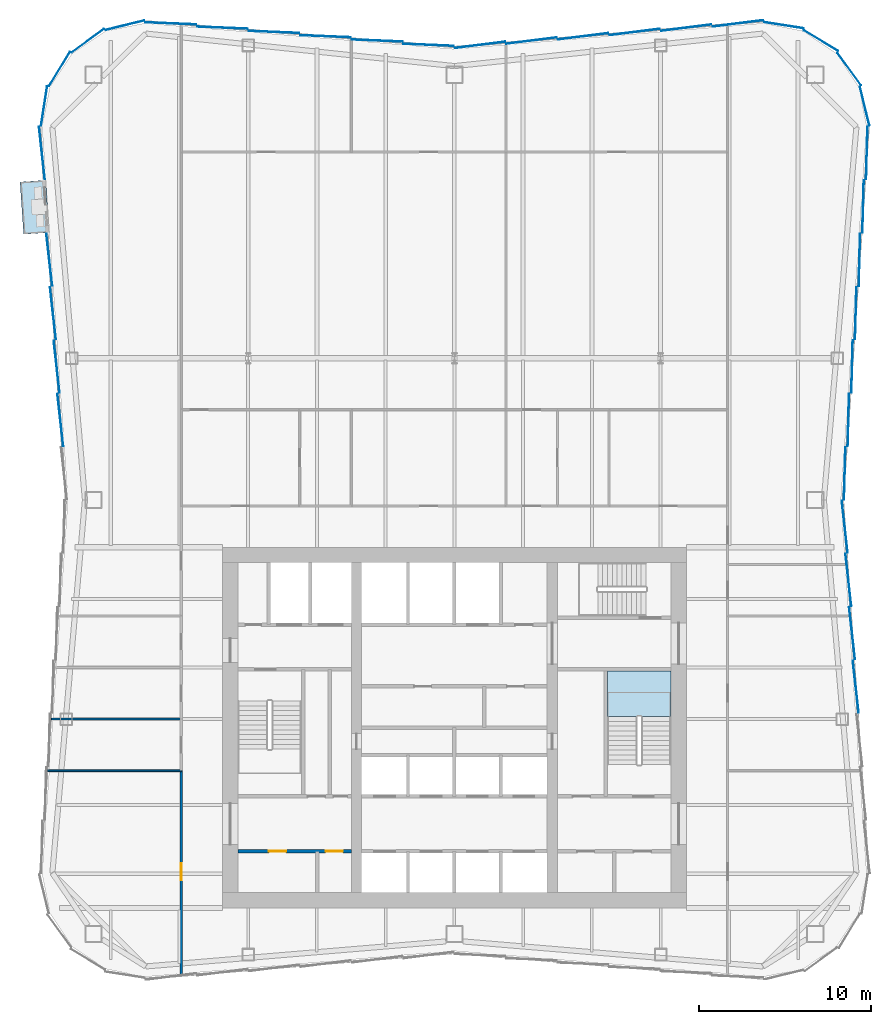
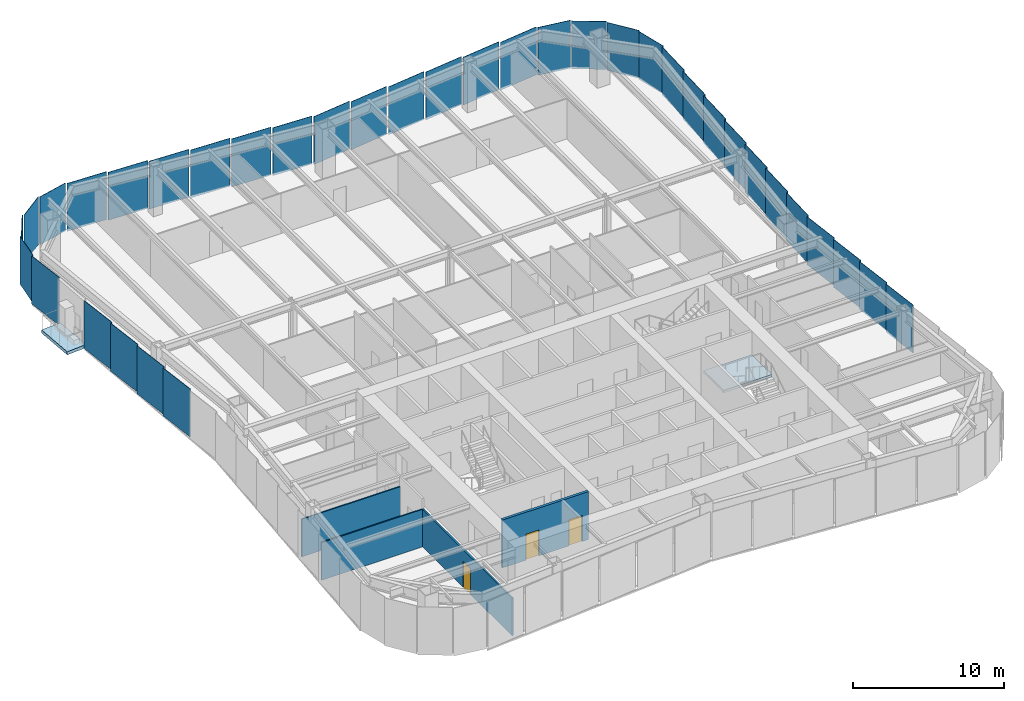
# One storey, part 4 of 10: 36 plates, 4 walls, 3 doors, 2 slabs, 3 openings, 6 elements without a shape of their own.
"""IFC4 building model written with IfcOpenShell, lengths in metres."""

from ifc_helpers import new_model, si_unit, direction, frame, frame_2d, origin, origin_2d, place, context, subcontext, project, spatial, polyline, rectangle, outline, extrude, material, layer, layer_set, type_object, element, fill, aggregate, save


model = new_model("IFC4")

# Units and contexts
model_context = context("Model", 3, precision=1e-05, world=origin(), true_north=direction((0.0, 1.0)))
body_context = subcontext(model_context, "Body", "Model", "MODEL_VIEW")
ifc_project = project(units=[si_unit("LENGTHUNIT", "METRE"), si_unit("AREAUNIT", "SQUARE_METRE"), si_unit("VOLUMEUNIT", "CUBIC_METRE"), si_unit("PLANEANGLEUNIT", "RADIAN"), si_unit("MASSUNIT", "GRAM", prefix="KILO")], contexts=[model_context])

# Site, building, storey
site_placement = place(None, origin())
site = spatial("IfcSite", under=ifc_project, at=site_placement, CompositionType="ELEMENT")
building_placement = place(site_placement, origin())
building = spatial("IfcBuilding", under=site, at=building_placement, Name="Verdant Reach Tower", CompositionType="ELEMENT")
storey_placement = place(building_placement, frame((0.0, 0.0, 190.0)))
storey = spatial("IfcBuildingStorey", under=building, at=storey_placement, Name="L43", CompositionType="ELEMENT", Elevation=190.0)

# Stair, slab
ifc_material_1 = material(Name="Concrete C40/50", Category="concrete")
stair_type = type_object("IfcStairType", Name="CO-STAIR", PredefinedType="HALF_TURN_STAIR", material=ifc_material_1)
stair_placement = place(storey_placement, origin())
stair = element("IfcStair", 1, at=stair_placement, inside=storey, type_object=stair_type, Name="L43 Exit stair 2", PredefinedType="HALF_TURN_STAIR")
ifc_layer_1 = layer(ifc_material_1, 0.199951171875)
ifc_layer_set_1 = layer_set([ifc_layer_1], Name="CO-STAIR-LANDING")
slab_type_1 = type_object("IfcSlabType", Name="CO-STAIR-LANDING", PredefinedType="LANDING", material=ifc_layer_set_1)
slab_1_placement = place(storey_placement, frame((0.0, 0.0, 1.800048828125)))
slab_1 = element("IfcSlab", 2, at=slab_1_placement, type_object=slab_type_1, Name="ST-2 landing 1", PredefinedType="LANDING", context=body_context, shape_type="SweptSolid", body=[
    extrude(outline(polyline([(12.60009765625, 28.64990234375), (12.60009765625, 31.300048828125), (8.89990234375, 31.300048828125), (8.89990234375, 28.64990234375), (12.60009765625, 28.64990234375)])), origin(), (0.0, 0.0, 1.0), 0.199951171875),
])
aggregate(stair, [slab_1])

# Slab
ifc_material_2 = material(Name="Concrete C35/45", Category="concrete")
ifc_layer_2 = layer(ifc_material_2, 0.25)
ifc_layer_set_2 = layer_set([ifc_layer_2], Name="EN-BALCONY SLAB")
slab_type_2 = type_object("IfcSlabType", Name="EN-BALCONY SLAB", PredefinedType="FLOOR", material=ifc_layer_set_2)
slab_2_placement = place(storey_placement, frame((0.0, 0.0, -0.25)))
element("IfcSlab", 3, at=slab_2_placement, inside=storey, type_object=slab_type_2, Name="Balcony slab 1, L43", PredefinedType="FLOOR", context=body_context, shape_type="SweptSolid", body=[
    extrude(outline(polyline([(-23.783447265625, 59.85986328125), (-23.57373046875, 56.818603515625), (-25.070068359375, 56.71533203125), (-25.27978515625, 59.7568359375), (-23.783447265625, 59.85986328125)])), origin(), (0.0, 0.0, 1.0), 0.25),
])

# Curtain wall, plates
ifc_material_3 = material(Name="Anodised aluminium", Category="aluminium")
curtain_wall_type = type_object("IfcCurtainWallType", Name="EN-CW SYSTEM Z3", PredefinedType="NOTDEFINED", material=ifc_material_3)
curtain_wall_1_placement = place(storey_placement, origin())
curtain_wall_1 = element("IfcCurtainWall", 4, at=curtain_wall_1_placement, inside=storey, type_object=curtain_wall_type, Name="Curtain wall east, L43", PredefinedType="NOTDEFINED")
ifc_material_4 = material(Name="Tinted glass with champagne spandrel", Category="glass")
ifc_layer_3 = layer(ifc_material_4, 0.031982421875)
ifc_layer_set_3 = layer_set([ifc_layer_3], Name="EN-PANEL CHAMPAGNE")
plate_type_1 = type_object("IfcPlateType", Name="EN-PANEL CHAMPAGNE", PredefinedType="CURTAIN_PANEL", material=ifc_layer_set_3)
plate_1_placement = place(storey_placement, frame((22.93017578125, 36.5966796875, -0.22412109375), z_axis=(0.0, 0.0, 1.0), x_axis=(-0.110518162674, 0.993874104562, 0.0)))
plate_1 = element("IfcPlate", 5, at=plate_1_placement, type_object=plate_type_1, Name="Glass panel east face part 1 6.1, L43", PredefinedType="CURTAIN_PANEL", context=body_context, shape_type="SweptSolid", body=[
    extrude(rectangle(XDim=3.052490234375, YDim=0.031982421875, at=origin_2d()), origin(), (0.0, 0.0, 1.0), 3.8740234375),
])
plate_2_placement = place(storey_placement, frame((22.716064453125, 39.7001953125, -0.22412109375), z_axis=(0.0, 0.0, 1.0), x_axis=(-0.110600785385, 0.993864913493, 0.0)))
plate_2 = element("IfcPlate", 6, at=plate_2_placement, type_object=plate_type_1, Name="Glass panel east face part 1 7.1, L43", PredefinedType="CURTAIN_PANEL", context=body_context, shape_type="SweptSolid", body=[
    extrude(rectangle(XDim=3.044921875, YDim=0.031982421875, at=origin_2d()), origin(), (0.0, 0.0, 1.0), 3.8740234375),
])
plate_3_placement = place(storey_placement, frame((22.716064453125, 42.7998046875, -0.22412109375), z_axis=(0.0, 0.0, 1.0), x_axis=(0.027048420339, 0.999634124546, 0.0)))
plate_3 = element("IfcPlate", 7, at=plate_3_placement, type_object=plate_type_1, Name="Glass panel east face part 2 1.1, L43", PredefinedType="CURTAIN_PANEL", context=body_context, shape_type="SweptSolid", body=[
    extrude(rectangle(XDim=3.044921875, YDim=0.031982421875, at=origin_2d()), origin(), (0.0, 0.0, 1.0), 3.8740234375),
])
plate_4_placement = place(storey_placement, frame((22.93017578125, 45.9033203125, -0.22412109375), z_axis=(0.0, 0.0, 1.0), x_axis=(0.026965318308, 0.999636369691, 0.0)))
plate_4 = element("IfcPlate", 8, at=plate_4_placement, type_object=plate_type_1, Name="Glass panel east face part 2 2.1, L43", PredefinedType="CURTAIN_PANEL", context=body_context, shape_type="SweptSolid", body=[
    extrude(rectangle(XDim=3.052490234375, YDim=0.031982421875, at=origin_2d()), origin(), (0.0, 0.0, 1.0), 3.8740234375),
])

curtain_wall_2_placement = place(storey_placement, origin())
curtain_wall_2 = element("IfcCurtainWall", 9, at=curtain_wall_2_placement, inside=storey, type_object=curtain_wall_type, Name="Curtain wall north, L43", PredefinedType="NOTDEFINED")
plate_5_placement = place(storey_placement, frame((4.490966796875, 67.983642578125, -0.22412109375), z_axis=(0.0, 0.0, 1.0), x_axis=(-0.992194034542, -0.124703639961, 0.0)))
plate_5 = element("IfcPlate", 10, at=plate_5_placement, type_object=plate_type_1, Name="Glass panel north face part 1 5.1, L43", PredefinedType="CURTAIN_PANEL", context=body_context, shape_type="SweptSolid", body=[
    extrude(rectangle(XDim=2.948486328125, YDim=0.031982421875, at=origin_2d()), origin(), (0.0, 0.0, 1.0), 3.8740234375),
])
plate_6_placement = place(storey_placement, frame((1.495361328125, 67.73388671875, -0.22412109375), z_axis=(0.0, 0.0, 1.0), x_axis=(-0.992178382939, -0.124828107529, 0.0)))
plate_6 = element("IfcPlate", 11, at=plate_6_placement, type_object=plate_type_1, Name="Glass panel north face part 1 6.1, L43", PredefinedType="CURTAIN_PANEL", context=body_context, shape_type="SweptSolid", body=[
    extrude(rectangle(XDim=2.939453125, YDim=0.031982421875, at=origin_2d()), origin(), (0.0, 0.0, 1.0), 3.8740234375),
])
plate_7_placement = place(storey_placement, frame((-16.49853515625, 68.983642578125, -0.22412109375), z_axis=(0.0, 0.0, 1.0), x_axis=(-0.999163623568, 0.040890748818, 0.0)))
plate_7 = element("IfcPlate", 12, at=plate_7_placement, type_object=plate_type_1, Name="Glass panel north face part 2 6.1, L43", PredefinedType="CURTAIN_PANEL", context=body_context, shape_type="SweptSolid", body=[
    extrude(rectangle(XDim=2.963623046875, YDim=0.031982421875, at=origin_2d()), origin(), (0.0, 0.0, 1.0), 3.8740234375),
])

curtain_wall_3_placement = place(storey_placement, origin())
curtain_wall_3 = element("IfcCurtainWall", 13, at=curtain_wall_3_placement, inside=storey, type_object=curtain_wall_type, Name="Curtain wall west, L43", PredefinedType="NOTDEFINED")
plate_8_placement = place(storey_placement, frame((-23.572998046875, 55.224609375, -0.22412109375), z_axis=(0.0, 0.0, 1.0), x_axis=(0.110518162674, -0.993874104562, 0.0)))
plate_8 = element("IfcPlate", 14, at=plate_8_placement, type_object=plate_type_1, Name="Glass panel west face part 1 3.1, L43", PredefinedType="CURTAIN_PANEL", context=body_context, shape_type="SweptSolid", body=[
    extrude(rectangle(XDim=3.052490234375, YDim=0.031982421875, at=origin_2d()), origin(), (0.0, 0.0, 1.0), 3.8740234375),
])
plate_9_placement = place(storey_placement, frame((-23.358642578125, 52.117431640625, -0.22412109375), z_axis=(0.0, 0.0, 1.0), x_axis=(0.110518162674, -0.993874104562, 0.0)))
plate_9 = element("IfcPlate", 15, at=plate_9_placement, type_object=plate_type_1, Name="Glass panel west face part 1 4.1, L43", PredefinedType="CURTAIN_PANEL", context=body_context, shape_type="SweptSolid", body=[
    extrude(rectangle(XDim=3.052490234375, YDim=0.031982421875, at=origin_2d()), origin(), (0.0, 0.0, 1.0), 3.8740234375),
])

# Plate
ifc_material_5 = material(Name="Tinted glass with copper spandrel", Category="glass")
ifc_layer_4 = layer(ifc_material_5, 0.031982421875)
ifc_layer_set_4 = layer_set([ifc_layer_4], Name="EN-PANEL COPPER")
plate_type_2 = type_object("IfcPlateType", Name="EN-PANEL COPPER", PredefinedType="CURTAIN_PANEL", material=ifc_layer_set_4)
plate_10_placement = place(storey_placement, frame((23.14453125, 49.01025390625, -0.22412109375), z_axis=(0.0, 0.0, 1.0), x_axis=(0.026965318308, 0.999636369691, 0.0)))
plate_10 = element("IfcPlate", 16, at=plate_10_placement, type_object=plate_type_2, Name="Glass panel east face part 2 3.1, L43", PredefinedType="CURTAIN_PANEL", context=body_context, shape_type="SweptSolid", body=[
    extrude(rectangle(XDim=3.052490234375, YDim=0.031982421875, at=origin_2d()), origin(), (0.0, 0.0, 1.0), 3.8740234375),
])

plate_11_placement = place(storey_placement, frame((23.358642578125, 52.117431640625, -0.22412109375), z_axis=(0.0, 0.0, 1.0), x_axis=(0.026965318308, 0.999636369691, 0.0)))
plate_11 = element("IfcPlate", 17, at=plate_11_placement, type_object=plate_type_2, Name="Glass panel east face part 2 4.1, L43", PredefinedType="CURTAIN_PANEL", context=body_context, shape_type="SweptSolid", body=[
    extrude(rectangle(XDim=3.052490234375, YDim=0.031982421875, at=origin_2d()), origin(), (0.0, 0.0, 1.0), 3.8740234375),
])

# Curtain wall, plates
curtain_wall_4_placement = place(storey_placement, origin())
curtain_wall_4 = element("IfcCurtainWall", 18, at=curtain_wall_4_placement, inside=storey, type_object=curtain_wall_type, Name="Curtain wall north-east corner, L43", PredefinedType="NOTDEFINED")
plate_12_placement = place(storey_placement, frame((23.87646484375, 64.17236328125, -0.22412109375), z_axis=(0.0, 0.0, 1.0), x_axis=(-0.23644624331, 0.97164457186, 0.0)))
plate_12 = element("IfcPlate", 19, at=plate_12_placement, type_object=plate_type_2, Name="Glass panel north-east corner 1.1, L43", PredefinedType="CURTAIN_PANEL", context=body_context, shape_type="SweptSolid", body=[
    extrude(rectangle(XDim=2.314697265625, YDim=0.031982421875, at=origin_2d()), origin(), (0.0, 0.0, 1.0), 3.8740234375),
])
plate_13_placement = place(storey_placement, frame((22.98193359375, 66.328857421875, -0.22412109375), z_axis=(0.0, 0.0, 1.0), x_axis=(-0.589926747542, 0.807456768214, 0.0)))
plate_13 = element("IfcPlate", 20, at=plate_13_placement, type_object=plate_type_2, Name="Glass panel north-east corner 2.1, L43", PredefinedType="CURTAIN_PANEL", context=body_context, shape_type="SweptSolid", body=[
    extrude(rectangle(XDim=2.321533203125, YDim=0.031982421875, at=origin_2d()), origin(), (0.0, 0.0, 1.0), 3.8740234375),
])
plate_14_placement = place(storey_placement, frame((21.328857421875, 67.98193359375, -0.22412109375), z_axis=(0.0, 0.0, 1.0), x_axis=(-0.853988701636, 0.520291550457, 0.0)))
plate_14 = element("IfcPlate", 21, at=plate_14_placement, type_object=plate_type_2, Name="Glass panel north-east corner 3.1, L43", PredefinedType="CURTAIN_PANEL", context=body_context, shape_type="SweptSolid", body=[
    extrude(rectangle(XDim=2.321533203125, YDim=0.031982421875, at=origin_2d()), origin(), (0.0, 0.0, 1.0), 3.8740234375),
])

# Plate
plate_15_placement = place(storey_placement, frame((16.49853515625, 68.983642578125, -0.22412109375), z_axis=(0.0, 0.0, 1.0), x_axis=(-0.992237766434, -0.124355196363, 0.0)))
plate_15 = element("IfcPlate", 22, at=plate_15_placement, type_object=plate_type_2, Name="Glass panel north face part 1 1.1, L43", PredefinedType="CURTAIN_PANEL", context=body_context, shape_type="SweptSolid", body=[
    extrude(rectangle(XDim=2.963623046875, YDim=0.031982421875, at=origin_2d()), origin(), (0.0, 0.0, 1.0), 3.8740234375),
])

plate_16_placement = place(storey_placement, frame((-1.495361328125, 67.73388671875, -0.22412109375), z_axis=(0.0, 0.0, 1.0), x_axis=(-0.999144020525, 0.041366970501, 0.0)))
plate_16 = element("IfcPlate", 23, at=plate_16_placement, type_object=plate_type_2, Name="Glass panel north face part 2 1.1, L43", PredefinedType="CURTAIN_PANEL", context=body_context, shape_type="SweptSolid", body=[
    extrude(rectangle(XDim=2.939453125, YDim=0.031982421875, at=origin_2d()), origin(), (0.0, 0.0, 1.0), 3.8740234375),
])

plate_17_placement = place(storey_placement, frame((-4.490966796875, 67.983642578125, -0.22412109375), z_axis=(0.0, 0.0, 1.0), x_axis=(-0.999149202059, 0.041241629766, 0.0)))
plate_17 = element("IfcPlate", 24, at=plate_17_placement, type_object=plate_type_2, Name="Glass panel north face part 2 2.1, L43", PredefinedType="CURTAIN_PANEL", context=body_context, shape_type="SweptSolid", body=[
    extrude(rectangle(XDim=2.948486328125, YDim=0.031982421875, at=origin_2d()), origin(), (0.0, 0.0, 1.0), 3.8740234375),
])

plate_18_placement = place(storey_placement, frame((-7.490966796875, 68.233642578125, -0.22412109375), z_axis=(0.0, 0.0, 1.0), x_axis=(-0.999149202059, 0.041241629766, 0.0)))
plate_18 = element("IfcPlate", 25, at=plate_18_placement, type_object=plate_type_2, Name="Glass panel north face part 2 3.1, L43", PredefinedType="CURTAIN_PANEL", context=body_context, shape_type="SweptSolid", body=[
    extrude(rectangle(XDim=2.948486328125, YDim=0.031982421875, at=origin_2d()), origin(), (0.0, 0.0, 1.0), 3.8740234375),
])

# Curtain wall, plate
curtain_wall_5_placement = place(storey_placement, origin())
curtain_wall_5 = element("IfcCurtainWall", 26, at=curtain_wall_5_placement, inside=storey, type_object=curtain_wall_type, Name="Curtain wall north-west corner, L43", PredefinedType="NOTDEFINED")
plate_19_placement = place(storey_placement, frame((-19.171875, 68.87646484375, -0.22412109375), z_axis=(0.0, 0.0, 1.0), x_axis=(-0.971655117833, -0.236402901821, 0.0)))
plate_19 = element("IfcPlate", 27, at=plate_19_placement, type_object=plate_type_2, Name="Glass panel north-west corner 1.1, L43", PredefinedType="CURTAIN_PANEL", context=body_context, shape_type="SweptSolid", body=[
    extrude(rectangle(XDim=2.3154296875, YDim=0.031982421875, at=origin_2d()), origin(), (0.0, 0.0, 1.0), 3.8740234375),
])

# Plate
plate_20_placement = place(storey_placement, frame((-23.14453125, 49.01025390625, -0.22412109375), z_axis=(0.0, 0.0, 1.0), x_axis=(0.110518162674, -0.993874104562, 0.0)))
plate_20 = element("IfcPlate", 28, at=plate_20_placement, type_object=plate_type_2, Name="Glass panel west face part 1 5.1, L43", PredefinedType="CURTAIN_PANEL", context=body_context, shape_type="SweptSolid", body=[
    extrude(rectangle(XDim=3.052490234375, YDim=0.031982421875, at=origin_2d()), origin(), (0.0, 0.0, 1.0), 3.8740234375),
])

plate_21_placement = place(storey_placement, frame((-22.93017578125, 45.9033203125, -0.22412109375), z_axis=(0.0, 0.0, 1.0), x_axis=(0.110518162674, -0.993874104562, 0.0)))
plate_21 = element("IfcPlate", 29, at=plate_21_placement, type_object=plate_type_2, Name="Glass panel west face part 1 6.1, L43", PredefinedType="CURTAIN_PANEL", context=body_context, shape_type="SweptSolid", body=[
    extrude(rectangle(XDim=3.052490234375, YDim=0.031982421875, at=origin_2d()), origin(), (0.0, 0.0, 1.0), 3.8740234375),
])

ifc_material_6 = material(Name="Tinted glass with dark bronze spandrel", Category="glass")
ifc_layer_5 = layer(ifc_material_6, 0.031982421875)
ifc_layer_set_5 = layer_set([ifc_layer_5], Name="EN-PANEL DARK")
plate_type_3 = type_object("IfcPlateType", Name="EN-PANEL DARK", PredefinedType="CURTAIN_PANEL", material=ifc_layer_set_5)
plate_22_placement = place(storey_placement, frame((23.358642578125, 30.382568359375, -0.22412109375), z_axis=(0.0, 0.0, 1.0), x_axis=(-0.110518162674, 0.993874104562, 0.0)))
plate_22 = element("IfcPlate", 30, at=plate_22_placement, type_object=plate_type_3, Name="Glass panel east face part 1 4.1, L43", PredefinedType="CURTAIN_PANEL", context=body_context, shape_type="SweptSolid", body=[
    extrude(rectangle(XDim=3.052490234375, YDim=0.031982421875, at=origin_2d()), origin(), (0.0, 0.0, 1.0), 3.8740234375),
])

plate_23_placement = place(storey_placement, frame((23.14453125, 33.48974609375, -0.22412109375), z_axis=(0.0, 0.0, 1.0), x_axis=(-0.110518162674, 0.993874104562, 0.0)))
plate_23 = element("IfcPlate", 31, at=plate_23_placement, type_object=plate_type_3, Name="Glass panel east face part 1 5.1, L43", PredefinedType="CURTAIN_PANEL", context=body_context, shape_type="SweptSolid", body=[
    extrude(rectangle(XDim=3.052490234375, YDim=0.031982421875, at=origin_2d()), origin(), (0.0, 0.0, 1.0), 3.8740234375),
])

plate_24_placement = place(storey_placement, frame((23.572998046875, 55.224609375, -0.22412109375), z_axis=(0.0, 0.0, 1.0), x_axis=(0.026965318308, 0.999636369691, 0.0)))
plate_24 = element("IfcPlate", 32, at=plate_24_placement, type_object=plate_type_3, Name="Glass panel east face part 2 5.1, L43", PredefinedType="CURTAIN_PANEL", context=body_context, shape_type="SweptSolid", body=[
    extrude(rectangle(XDim=3.052490234375, YDim=0.031982421875, at=origin_2d()), origin(), (0.0, 0.0, 1.0), 3.8740234375),
])

plate_25_placement = place(storey_placement, frame((23.787353515625, 58.331787109375, -0.22412109375), z_axis=(0.0, 0.0, 1.0), x_axis=(0.026965318308, 0.999636369691, 0.0)))
plate_25 = element("IfcPlate", 33, at=plate_25_placement, type_object=plate_type_3, Name="Glass panel east face part 2 6.1, L43", PredefinedType="CURTAIN_PANEL", context=body_context, shape_type="SweptSolid", body=[
    extrude(rectangle(XDim=3.052490234375, YDim=0.031982421875, at=origin_2d()), origin(), (0.0, 0.0, 1.0), 3.8740234375),
])

plate_26_placement = place(storey_placement, frame((24.001708984375, 61.446044921875, -0.22412109375), z_axis=(0.0, 0.0, 1.0), x_axis=(0.026659626966, 0.999644568979, 0.0)))
plate_26 = element("IfcPlate", 34, at=plate_26_placement, type_object=plate_type_3, Name="Glass panel east face part 2 7.1, L43", PredefinedType="CURTAIN_PANEL", context=body_context, shape_type="SweptSolid", body=[
    extrude(rectangle(XDim=3.06689453125, YDim=0.031982421875, at=origin_2d()), origin(), (0.0, 0.0, 1.0), 3.8740234375),
])

aggregate(curtain_wall_1, [plate_22, plate_23, plate_1, plate_2, plate_3, plate_4, plate_10, plate_11, plate_24, plate_25, plate_26])

plate_27_placement = place(storey_placement, frame((19.171875, 68.87646484375, -0.22412109375), z_axis=(0.0, 0.0, 1.0), x_axis=(-0.988029071555, 0.154267798848, 0.0)))
plate_27 = element("IfcPlate", 35, at=plate_27_placement, type_object=plate_type_3, Name="Glass panel north-east corner 4.1, L43", PredefinedType="CURTAIN_PANEL", context=body_context, shape_type="SweptSolid", body=[
    extrude(rectangle(XDim=2.3154296875, YDim=0.031982421875, at=origin_2d()), origin(), (0.0, 0.0, 1.0), 3.8740234375),
])

aggregate(curtain_wall_4, [plate_12, plate_13, plate_14, plate_27])

plate_28_placement = place(storey_placement, frame((13.490966796875, 68.733642578125, -0.22412109375), z_axis=(0.0, 0.0, 1.0), x_axis=(-0.992194034542, -0.124703639961, 0.0)))
plate_28 = element("IfcPlate", 36, at=plate_28_placement, type_object=plate_type_3, Name="Glass panel north face part 1 2.1, L43", PredefinedType="CURTAIN_PANEL", context=body_context, shape_type="SweptSolid", body=[
    extrude(rectangle(XDim=2.948486328125, YDim=0.031982421875, at=origin_2d()), origin(), (0.0, 0.0, 1.0), 3.8740234375),
])

plate_29_placement = place(storey_placement, frame((10.490966796875, 68.483642578125, -0.22412109375), z_axis=(0.0, 0.0, 1.0), x_axis=(-0.992194034542, -0.124703639961, 0.0)))
plate_29 = element("IfcPlate", 37, at=plate_29_placement, type_object=plate_type_3, Name="Glass panel north face part 1 3.1, L43", PredefinedType="CURTAIN_PANEL", context=body_context, shape_type="SweptSolid", body=[
    extrude(rectangle(XDim=2.948486328125, YDim=0.031982421875, at=origin_2d()), origin(), (0.0, 0.0, 1.0), 3.8740234375),
])

plate_30_placement = place(storey_placement, frame((7.490966796875, 68.233642578125, -0.22412109375), z_axis=(0.0, 0.0, 1.0), x_axis=(-0.992194034542, -0.124703639961, 0.0)))
plate_30 = element("IfcPlate", 38, at=plate_30_placement, type_object=plate_type_3, Name="Glass panel north face part 1 4.1, L43", PredefinedType="CURTAIN_PANEL", context=body_context, shape_type="SweptSolid", body=[
    extrude(rectangle(XDim=2.948486328125, YDim=0.031982421875, at=origin_2d()), origin(), (0.0, 0.0, 1.0), 3.8740234375),
])

plate_31_placement = place(storey_placement, frame((-10.490966796875, 68.483642578125, -0.22412109375), z_axis=(0.0, 0.0, 1.0), x_axis=(-0.999149202059, 0.041241629766, 0.0)))
plate_31 = element("IfcPlate", 39, at=plate_31_placement, type_object=plate_type_3, Name="Glass panel north face part 2 4.1, L43", PredefinedType="CURTAIN_PANEL", context=body_context, shape_type="SweptSolid", body=[
    extrude(rectangle(XDim=2.948486328125, YDim=0.031982421875, at=origin_2d()), origin(), (0.0, 0.0, 1.0), 3.8740234375),
])

plate_32_placement = place(storey_placement, frame((-13.490966796875, 68.733642578125, -0.22412109375), z_axis=(0.0, 0.0, 1.0), x_axis=(-0.999149202059, 0.041241629766, 0.0)))
plate_32 = element("IfcPlate", 40, at=plate_32_placement, type_object=plate_type_3, Name="Glass panel north face part 2 5.1, L43", PredefinedType="CURTAIN_PANEL", context=body_context, shape_type="SweptSolid", body=[
    extrude(rectangle(XDim=2.948486328125, YDim=0.031982421875, at=origin_2d()), origin(), (0.0, 0.0, 1.0), 3.8740234375),
])

aggregate(curtain_wall_2, [plate_15, plate_28, plate_29, plate_30, plate_5, plate_6, plate_16, plate_17, plate_18, plate_31, plate_32, plate_7])

plate_33_placement = place(storey_placement, frame((-21.328857421875, 67.98193359375, -0.22412109375), z_axis=(0.0, 0.0, 1.0), x_axis=(-0.807456768214, -0.589926747542, 0.0)))
plate_33 = element("IfcPlate", 41, at=plate_33_placement, type_object=plate_type_3, Name="Glass panel north-west corner 2.1, L43", PredefinedType="CURTAIN_PANEL", context=body_context, shape_type="SweptSolid", body=[
    extrude(rectangle(XDim=2.321533203125, YDim=0.031982421875, at=origin_2d()), origin(), (0.0, 0.0, 1.0), 3.8740234375),
])

plate_34_placement = place(storey_placement, frame((-22.98193359375, 66.328857421875, -0.22412109375), z_axis=(0.0, 0.0, 1.0), x_axis=(-0.520291550457, -0.853988701636, 0.0)))
plate_34 = element("IfcPlate", 42, at=plate_34_placement, type_object=plate_type_3, Name="Glass panel north-west corner 3.1, L43", PredefinedType="CURTAIN_PANEL", context=body_context, shape_type="SweptSolid", body=[
    extrude(rectangle(XDim=2.321533203125, YDim=0.031982421875, at=origin_2d()), origin(), (0.0, 0.0, 1.0), 3.8740234375),
])

plate_35_placement = place(storey_placement, frame((-23.87646484375, 64.17236328125, -0.22412109375), z_axis=(0.0, 0.0, 1.0), x_axis=(-0.154311870796, -0.988022189291, 0.0)))
plate_35 = element("IfcPlate", 43, at=plate_35_placement, type_object=plate_type_3, Name="Glass panel north-west corner 4.1, L43", PredefinedType="CURTAIN_PANEL", context=body_context, shape_type="SweptSolid", body=[
    extrude(rectangle(XDim=2.314697265625, YDim=0.031982421875, at=origin_2d()), origin(), (0.0, 0.0, 1.0), 3.8740234375),
])

aggregate(curtain_wall_5, [plate_19, plate_33, plate_34, plate_35])

plate_36_placement = place(storey_placement, frame((-24.001708984375, 61.446044921875, -0.22412109375), z_axis=(0.0, 0.0, 1.0), x_axis=(0.110214229533, -0.993907854687, 0.0)))
plate_36 = element("IfcPlate", 44, at=plate_36_placement, type_object=plate_type_3, Name="Glass panel west face part 1 1.1, L43", PredefinedType="CURTAIN_PANEL", context=body_context, shape_type="SweptSolid", body=[
    extrude(rectangle(XDim=3.06689453125, YDim=0.031982421875, at=origin_2d()), origin(), (0.0, 0.0, 1.0), 3.8740234375),
])

aggregate(curtain_wall_3, [plate_36, plate_8, plate_9, plate_20, plate_21])

# Wall, openings, doors
ifc_material_7 = material(Name="Gypsum board on steel studs", Category="steel")
ifc_layer_6 = layer(ifc_material_7, 0.199951171875)
ifc_layer_set_6 = layer_set([ifc_layer_6], Name="CO-WALL-ROOM")
wall_type_1 = type_object("IfcWallType", Name="CO-WALL-ROOM", PredefinedType="PARTITIONING", material=ifc_layer_set_6)
wall_1_placement = place(storey_placement, frame((-12.60009765625, 20.800048828125, 0.0), z_axis=(0.0, 0.0, 1.0), x_axis=(1.0, 0.0, 0.0)))
wall_1 = element("IfcWall", 45, at=wall_1_placement, inside=storey, type_object=wall_type_1, Name="Core partition, L43", PredefinedType="PARTITIONING", context=body_context, shape_type="SweptSolid", body=[
    extrude(rectangle(XDim=6.60009765625, YDim=0.199951171875, at=frame_2d((3.300048828125, 0.0))), origin(), (0.0, 0.0, 1.0), 3.8701171875),
])
opening_1_placement = place(wall_1_placement, frame((1.81005859375, 0.0, 0.0)))
opening_1 = element("IfcOpeningElement", 46, at=opening_1_placement, cuts=wall_1, Name="Opening CD", PredefinedType="OPENING", context=body_context, shape_type="SweptSolid", body=[
    extrude(rectangle(XDim=1.0, YDim=2.10009765625, at=frame_2d((0.5, 1.050048828125))), frame((0.0, 0.10986328125, 0.0), z_axis=(0.0, -1.0, 0.0), x_axis=(1.0, 0.0, 0.0)), (0.0, 0.0, 1.0), 0.219970703125),
])
opening_2_placement = place(wall_1_placement, frame((5.110107421875, 0.0, 0.0)))
opening_2 = element("IfcOpeningElement", 47, at=opening_2_placement, cuts=wall_1, Name="Opening CD", PredefinedType="OPENING", context=body_context, shape_type="SweptSolid", body=[
    extrude(rectangle(XDim=1.0, YDim=2.10009765625, at=frame_2d((0.5, 1.050048828125))), frame((0.0, 0.10986328125, 0.0), z_axis=(0.0, -1.0, 0.0), x_axis=(1.0, 0.0, 0.0)), (0.0, 0.0, 1.0), 0.219970703125),
])
ifc_material_8 = material(Name="Timber", Category="wood")
door_type_1 = type_object("IfcDoorType", Name="CO-DOOR-ROOM", OperationType="NOTDEFINED", PredefinedType="DOOR", material=ifc_material_8)
door_1_placement = place(opening_1_placement, origin())
door_1 = element("IfcDoor", 48, at=door_1_placement, inside=storey, type_object=door_type_1, Name="Core room door, L43", OperationType="SINGLE_SWING_LEFT", OverallHeight=2.10009765625, OverallWidth=1.0, PredefinedType="DOOR", context=body_context, shape_type="SweptSolid", body=[
    extrude(rectangle(XDim=1.0, YDim=2.10009765625, at=frame_2d((0.5, 1.050048828125))), frame((0.0, 0.02490234375, 0.0), z_axis=(0.0, -1.0, 0.0), x_axis=(1.0, 0.0, 0.0)), (0.0, 0.0, 1.0), 0.050048828125),
])
fill(opening_1, door_1)
door_2_placement = place(opening_2_placement, origin())
door_2 = element("IfcDoor", 49, at=door_2_placement, inside=storey, type_object=door_type_1, Name="Core room door, L43", OperationType="SINGLE_SWING_LEFT", OverallHeight=2.10009765625, OverallWidth=1.0, PredefinedType="DOOR", context=body_context, shape_type="SweptSolid", body=[
    extrude(rectangle(XDim=1.0, YDim=2.10009765625, at=frame_2d((0.5, 1.050048828125))), frame((0.0, 0.02490234375, 0.0), z_axis=(0.0, -1.0, 0.0), x_axis=(1.0, 0.0, 0.0)), (0.0, 0.0, 1.0), 0.050048828125),
])
fill(opening_2, door_2)

# Walls
ifc_layer_7 = layer(ifc_material_7, 0.10009765625)
ifc_layer_set_7 = layer_set([ifc_layer_7], Name="FL-W1 Partition 100")
wall_type_2 = type_object("IfcWallType", Name="FL-W1 Partition 100", PredefinedType="PARTITIONING", material=ifc_layer_set_7)
wall_2_placement = place(storey_placement, frame((-15.89990234375, 25.5, 0.0), z_axis=(0.0, 0.0, 1.0), x_axis=(-1.0, 0.0, 0.0)))
element("IfcWall", 50, at=wall_2_placement, inside=storey, type_object=wall_type_2, Name="Partition 43.39", PredefinedType="PARTITIONING", context=body_context, shape_type="SweptSolid", body=[
    extrude(rectangle(XDim=7.766357421875, YDim=0.10009765625, at=frame_2d((3.88330078125, 0.0))), origin(), (0.0, 0.0, 1.0), 3.0400390625),
])
wall_3_placement = place(storey_placement, frame((-15.89990234375, 28.5, 0.0), z_axis=(0.0, 0.0, 1.0), x_axis=(-1.0, 0.0, 0.0)))
element("IfcWall", 51, at=wall_3_placement, inside=storey, type_object=wall_type_2, Name="Partition 43.40", PredefinedType="PARTITIONING", context=body_context, shape_type="SweptSolid", body=[
    extrude(rectangle(XDim=7.559326171875, YDim=0.10009765625, at=frame_2d((3.77978515625, 0.0))), origin(), (0.0, 0.0, 1.0), 3.0400390625),
])

# Wall, opening, door
ifc_material_9 = material(Name="Gypsum board on steel studs, fire rated", Category="steel")
ifc_layer_8 = layer(ifc_material_9, 0.125)
ifc_layer_set_8 = layer_set([ifc_layer_8], Name="FL-W2 Corridor wall 125")
wall_type_3 = type_object("IfcWallType", Name="FL-W2 Corridor wall 125", PredefinedType="PARTITIONING", material=ifc_layer_set_8)
wall_4_placement = place(storey_placement, frame((-15.89990234375, 13.594970703125, 0.0), z_axis=(0.0, 0.0, 1.0), x_axis=(0.0, 1.0, 0.0)))
wall_4 = element("IfcWall", 52, at=wall_4_placement, inside=storey, type_object=wall_type_3, Name="Partition 43.07", PredefinedType="PARTITIONING", context=body_context, shape_type="SweptSolid", body=[
    extrude(rectangle(XDim=11.905029296875, YDim=0.125, at=frame_2d((5.95263671875, 0.0))), origin(), (0.0, 0.0, 1.0), 3.0400390625),
])
opening_3_placement = place(wall_4_placement, frame((5.517578125, 0.0, 0.0)))
opening_3 = element("IfcOpeningElement", 53, at=opening_3_placement, cuts=wall_4, Name="Opening D2", PredefinedType="OPENING", context=body_context, shape_type="SweptSolid", body=[
    extrude(rectangle(XDim=1.0, YDim=2.10009765625, at=frame_2d((0.5, 1.050048828125))), frame((0.0, 0.072509765625, 0.0), z_axis=(0.0, -1.0, 0.0), x_axis=(1.0, 0.0, 0.0)), (0.0, 0.0, 1.0), 0.14501953125),
])
ifc_material_10 = material(Name="Timber door leaf, fire rated", Category="wood")
door_type_2 = type_object("IfcDoorType", Name="FL-D2 Entrance door 1000x2100 FD30", OperationType="NOTDEFINED", PredefinedType="DOOR", material=ifc_material_10)
door_3_placement = place(opening_3_placement, origin())
door_3 = element("IfcDoor", 54, at=door_3_placement, inside=storey, type_object=door_type_2, Name="Door 43-005", OperationType="SINGLE_SWING_RIGHT", OverallHeight=2.10009765625, OverallWidth=1.0, PredefinedType="DOOR", context=body_context, shape_type="SweptSolid", body=[
    extrude(rectangle(XDim=1.0, YDim=2.10009765625, at=frame_2d((0.5, 1.050048828125))), frame((0.0, 0.02490234375, 0.0), z_axis=(0.0, -1.0, 0.0), x_axis=(1.0, 0.0, 0.0)), (0.0, 0.0, 1.0), 0.050048828125),
])
fill(opening_3, door_3)

save(model, "model.ifc")
